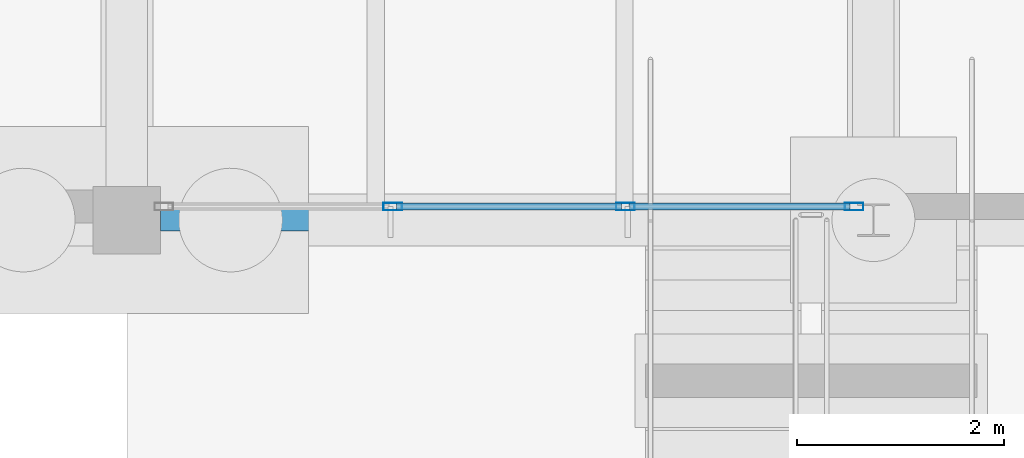
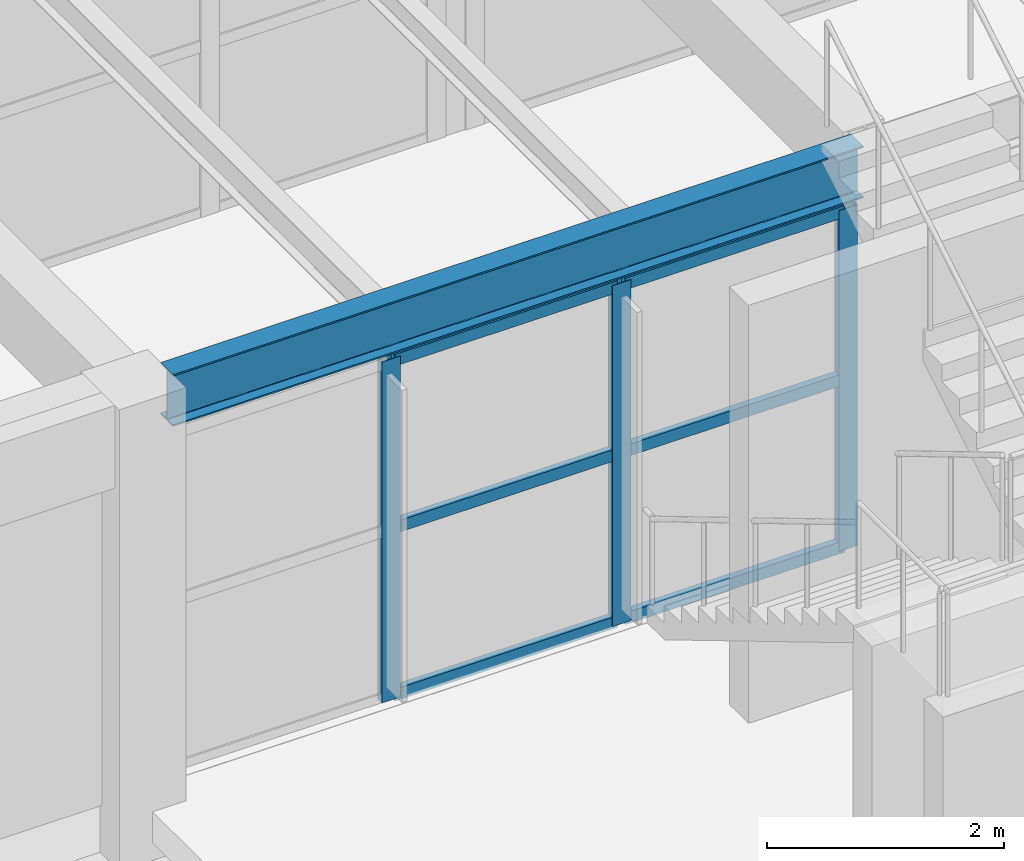
# One storey, part 11 of 28: 9 members, 1 beam, 1 element without a shape of its own.
"""IFC4 building model written with IfcOpenShell, lengths in metres."""

from ifc_helpers import new_model, si_unit, direction, frame, origin, origin_2d, place, context, subcontext, project, spatial, hollow_rectangle, i_section, extrude, material, material_profile, profile_set, type_object, element, aggregate, save


model = new_model("IFC4")

# Units and contexts
model_context = context("Model", 3, precision=1e-05, world=origin(), true_north=direction((0.0, 1.0)))
body_context = subcontext(model_context, "Body", "Model", "MODEL_VIEW")
ifc_project = project(units=[si_unit("LENGTHUNIT", "METRE"), si_unit("AREAUNIT", "SQUARE_METRE"), si_unit("VOLUMEUNIT", "CUBIC_METRE"), si_unit("PLANEANGLEUNIT", "RADIAN"), si_unit("MASSUNIT", "GRAM", prefix="KILO")], contexts=[model_context])

# Site, building, storey
site_placement = place(None, origin())
site = spatial("IfcSite", under=ifc_project, at=site_placement, CompositionType="ELEMENT")
building_placement = place(site_placement, origin())
building = spatial("IfcBuilding", under=site, at=building_placement, Name="Bramvelor Terrace Health Centre", CompositionType="ELEMENT")
storey_placement = place(building_placement, frame((0.0, 0.0, -4.5)))
storey = spatial("IfcBuildingStorey", under=building, at=storey_placement, Name="B1", CompositionType="ELEMENT", Elevation=-4.5)

# Beam
ifc_material_1 = material(Name="Steel S355J2", Category="steel")
ifc_material_profile_1 = material_profile(ifc_material_1, i_section(OverallWidth=0.209228515625, OverallDepth=0.533203125, WebThickness=0.010009765625, FlangeThickness=0.015625, FilletRadius=0.0126953125, at=origin_2d()), Name="UB 533x210x92")
ifc_profile_set_1 = profile_set([ifc_material_profile_1], Name="Steel S355J2")
beam_type = type_object("IfcBeamType", Name="BM-STL-UB533", PredefinedType="BEAM", material=ifc_profile_set_1)
beam_placement = place(storey_placement, frame((29.125, 50.39990234375, 3.9833984375), z_axis=(1.0, 0.0, 0.0), x_axis=(0.0, 1.0, 0.0)))
element("IfcBeam", 1, at=beam_placement, inside=storey, type_object=beam_type, Name="B1 Floor Girder", PredefinedType="BEAM", context=body_context, shape_type="SweptSolid", body=[
    extrude(i_section(OverallWidth=0.209228515625, OverallDepth=0.533203125, WebThickness=0.010009765625, FlangeThickness=0.015625, FilletRadius=0.0126953125, at=origin_2d()), origin(), (0.0, 0.0, 1.0), 6.72119140625),
])

# Curtain wall, members
ifc_material_2 = material(Name="Anodized aluminium and double low-E glass", Category="aluminium")
curtain_wall_type = type_object("IfcCurtainWallType", Name="CW-SYS-01", PredefinedType="NOTDEFINED", material=ifc_material_2)
curtain_wall_placement = place(storey_placement, origin())
curtain_wall = element("IfcCurtainWall", 2, at=curtain_wall_placement, inside=storey, type_object=curtain_wall_type, Name="B1 Unitized Curtain Wall 3", PredefinedType="NOTDEFINED")
ifc_material_3 = material(Name="Anodized aluminium 6063-T6", Category="aluminium")
ifc_material_profile_2 = material_profile(ifc_material_3, hollow_rectangle(XDim=0.074951171875, YDim=0.179931640625, WallThickness=0.00341796875, at=origin_2d()), Name="ALU-MUL 75x180x3.5")
ifc_profile_set_2 = profile_set([ifc_material_profile_2], Name="Anodized aluminium 6063-T6")
member_type_1 = type_object("IfcMemberType", Name="CW-MUL-65x180", PredefinedType="MULLION", material=ifc_profile_set_2)
member_1_placement = place(storey_placement, frame((35.813720703125, 50.530029296875, 0.0), z_axis=(0.0, 0.0, 1.0), x_axis=(0.0, -1.0, 0.0)))
member_1 = element("IfcMember", 3, at=member_1_placement, type_object=member_type_1, Name="CW-01 mullion 1", PredefinedType="MULLION", context=body_context, shape_type="SweptSolid", body=[
    extrude(hollow_rectangle(XDim=0.074951171875, YDim=0.179931640625, WallThickness=0.00341796875, at=origin_2d()), origin(), (0.0, 0.0, 1.0), 3.510009765625),
])
member_2_placement = place(storey_placement, frame((33.607421875, 50.530029296875, 0.0), z_axis=(0.0, 0.0, 1.0), x_axis=(0.0, -1.0, 0.0)))
member_2 = element("IfcMember", 4, at=member_2_placement, type_object=member_type_1, Name="CW-01 mullion 2", PredefinedType="MULLION", context=body_context, shape_type="SweptSolid", body=[
    extrude(hollow_rectangle(XDim=0.074951171875, YDim=0.179931640625, WallThickness=0.00341796875, at=origin_2d()), origin(), (0.0, 0.0, 1.0), 3.510009765625),
])
member_3_placement = place(storey_placement, frame((31.36376953125, 50.530029296875, 0.0), z_axis=(0.0, 0.0, 1.0), x_axis=(0.0, -1.0, 0.0)))
member_3 = element("IfcMember", 5, at=member_3_placement, type_object=member_type_1, Name="CW-01 mullion 3", PredefinedType="MULLION", context=body_context, shape_type="SweptSolid", body=[
    extrude(hollow_rectangle(XDim=0.074951171875, YDim=0.179931640625, WallThickness=0.00341796875, at=origin_2d()), origin(), (0.0, 0.0, 1.0), 3.510009765625),
])
ifc_material_4 = material(Name="Anodized aluminium 6063-T6", Category="aluminium")
ifc_material_profile_3 = material_profile(ifc_material_4, hollow_rectangle(XDim=0.06494140625, YDim=0.1201171875, WallThickness=0.0029296875, at=origin_2d()), Name="ALU-TRN 65x120x3.0")
ifc_profile_set_3 = profile_set([ifc_material_profile_3], Name="Anodized aluminium 6063-T6")
member_type_2 = type_object("IfcMemberType", Name="CW-TRN-65x150", PredefinedType="USERDEFINED", material=ifc_profile_set_3)
member_4_placement = place(storey_placement, frame((35.7763671875, 50.530029296875, 0.032470703125), z_axis=(-1.0, 0.0, 0.0), x_axis=(0.0, -1.0, 0.0)))
member_4 = element("IfcMember", 6, at=member_4_placement, type_object=member_type_2, Name="CW-01 transom 1.1", ObjectType="TRANSOM", PredefinedType="USERDEFINED", context=body_context, shape_type="SweptSolid", body=[
    extrude(hollow_rectangle(XDim=0.06494140625, YDim=0.1201171875, WallThickness=0.0029296875, at=origin_2d()), origin(), (0.0, 0.0, 1.0), 2.13134765625),
])
member_5_placement = place(storey_placement, frame((35.7763671875, 50.530029296875, 1.7548828125), z_axis=(-1.0, 0.0, 0.0), x_axis=(0.0, -1.0, 0.0)))
member_5 = element("IfcMember", 7, at=member_5_placement, type_object=member_type_2, Name="CW-01 transom 1.2", ObjectType="TRANSOM", PredefinedType="USERDEFINED", context=body_context, shape_type="SweptSolid", body=[
    extrude(hollow_rectangle(XDim=0.06494140625, YDim=0.1201171875, WallThickness=0.0029296875, at=origin_2d()), origin(), (0.0, 0.0, 1.0), 2.13134765625),
])
member_6_placement = place(storey_placement, frame((35.7763671875, 50.530029296875, 3.4775390625), z_axis=(-1.0, 0.0, 0.0), x_axis=(0.0, -1.0, 0.0)))
member_6 = element("IfcMember", 8, at=member_6_placement, type_object=member_type_2, Name="CW-01 transom 1.3", ObjectType="TRANSOM", PredefinedType="USERDEFINED", context=body_context, shape_type="SweptSolid", body=[
    extrude(hollow_rectangle(XDim=0.06494140625, YDim=0.1201171875, WallThickness=0.0029296875, at=origin_2d()), origin(), (0.0, 0.0, 1.0), 2.13134765625),
])
member_7_placement = place(storey_placement, frame((33.570068359375, 50.530029296875, 0.032470703125), z_axis=(-1.0, 0.0, 0.0), x_axis=(0.0, -1.0, 0.0)))
member_7 = element("IfcMember", 9, at=member_7_placement, type_object=member_type_2, Name="CW-01 transom 2.1", ObjectType="TRANSOM", PredefinedType="USERDEFINED", context=body_context, shape_type="SweptSolid", body=[
    extrude(hollow_rectangle(XDim=0.06494140625, YDim=0.1201171875, WallThickness=0.0029296875, at=origin_2d()), origin(), (0.0, 0.0, 1.0), 2.168701171875),
])
member_8_placement = place(storey_placement, frame((33.570068359375, 50.530029296875, 1.7548828125), z_axis=(-1.0, 0.0, 0.0), x_axis=(0.0, -1.0, 0.0)))
member_8 = element("IfcMember", 10, at=member_8_placement, type_object=member_type_2, Name="CW-01 transom 2.2", ObjectType="TRANSOM", PredefinedType="USERDEFINED", context=body_context, shape_type="SweptSolid", body=[
    extrude(hollow_rectangle(XDim=0.06494140625, YDim=0.1201171875, WallThickness=0.0029296875, at=origin_2d()), origin(), (0.0, 0.0, 1.0), 2.168701171875),
])
member_9_placement = place(storey_placement, frame((33.570068359375, 50.530029296875, 3.4775390625), z_axis=(-1.0, 0.0, 0.0), x_axis=(0.0, -1.0, 0.0)))
member_9 = element("IfcMember", 11, at=member_9_placement, type_object=member_type_2, Name="CW-01 transom 2.3", ObjectType="TRANSOM", PredefinedType="USERDEFINED", context=body_context, shape_type="SweptSolid", body=[
    extrude(hollow_rectangle(XDim=0.06494140625, YDim=0.1201171875, WallThickness=0.0029296875, at=origin_2d()), origin(), (0.0, 0.0, 1.0), 2.168701171875),
])
aggregate(curtain_wall, [member_1, member_2, member_3, member_4, member_5, member_6, member_7, member_8, member_9])

save(model, "model.ifc")
